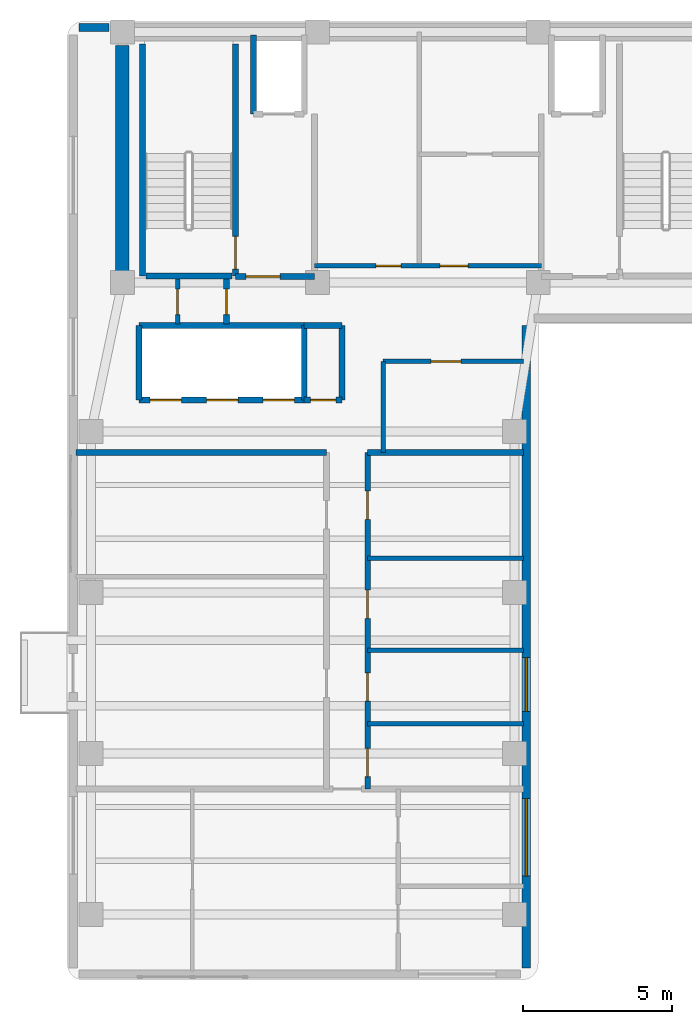
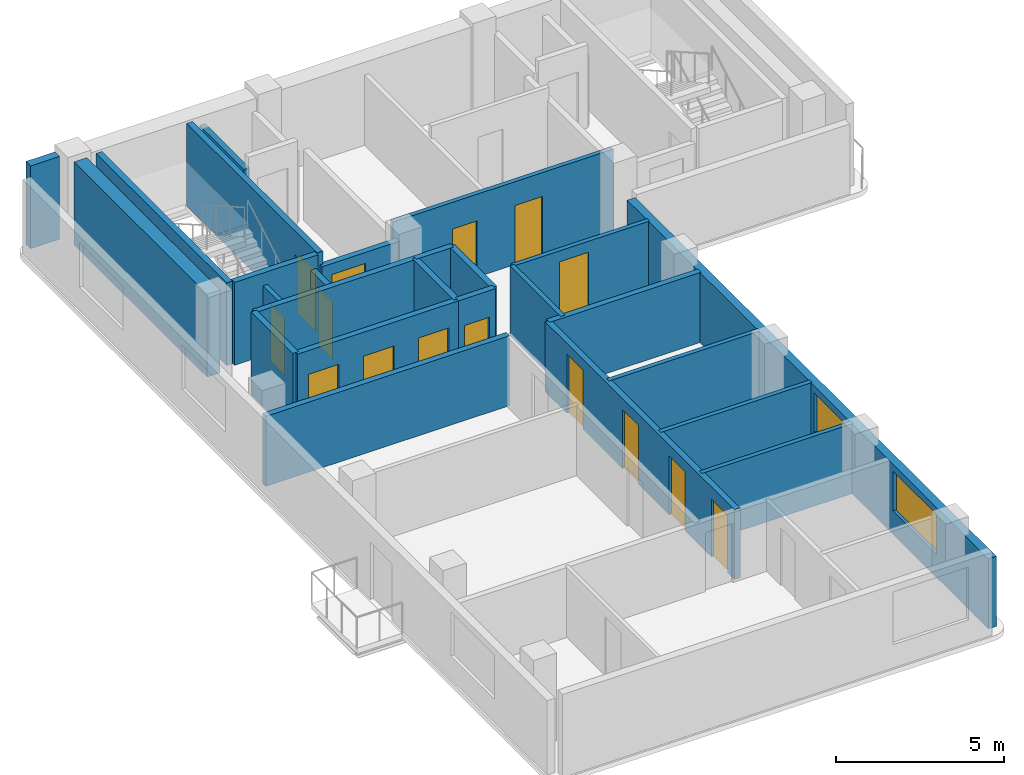
# One storey, part 7 of 9: 26 walls, 15 doors, 2 windows, 17 openings.
"""IFC4 building model written with IfcOpenShell, lengths in metres."""

from ifc_helpers import new_model, si_unit, direction, frame, frame_2d, origin, place, context, subcontext, project, spatial, rectangle, extrude, material, layer, layer_set, type_object, element, fill, save


model = new_model("IFC4")

# Units and contexts
model_context = context("Model", 3, precision=1e-05, world=origin(), true_north=direction((0.0, 1.0)))
body_context = subcontext(model_context, "Body", "Model", "MODEL_VIEW")
ifc_project = project(units=[si_unit("LENGTHUNIT", "METRE"), si_unit("AREAUNIT", "SQUARE_METRE"), si_unit("VOLUMEUNIT", "CUBIC_METRE"), si_unit("PLANEANGLEUNIT", "RADIAN"), si_unit("MASSUNIT", "GRAM", prefix="KILO")], contexts=[model_context])

# Site, building, storey
site_placement = place(None, origin())
site = spatial("IfcSite", under=ifc_project, at=site_placement, CompositionType="ELEMENT")
building_placement = place(site_placement, origin())
building = spatial("IfcBuilding", under=site, at=building_placement, Name="Kuzgunbayir Cultural Tower", CompositionType="ELEMENT")
storey_placement = place(building_placement, frame((0.0, 0.0, 240.800048828125)))
storey = spatial("IfcBuildingStorey", under=building, at=storey_placement, Name="L71", CompositionType="ELEMENT", Elevation=240.800048828125)

# Wall
ifc_material_1 = material(Name="Concrete C50/60", Category="concrete")
ifc_layer_1 = layer(ifc_material_1, 0.449951171875)
ifc_layer_set_1 = layer_set([ifc_layer_1], Name="Concrete C50/60")
wall_type_1 = type_object("IfcWallType", Name="WAL-CORE-450", PredefinedType="SHEAR", material=ifc_layer_set_1)
wall_1_placement = place(storey_placement, frame((6.449951171875, 33.800048828125, 0.0), z_axis=(0.0, 0.0, 1.0), x_axis=(0.0, 1.0, 0.0)))
element("IfcWall", 1, at=wall_1_placement, inside=storey, type_object=wall_type_1, Name="L71 T1 Core West Shear Wall", PredefinedType="SHEAR", context=body_context, shape_type="SweptSolid", body=[
    extrude(rectangle(XDim=7.949951171875, YDim=0.449951171875, at=frame_2d((3.97509765625, 0.0))), origin(), (0.0, 0.0, 1.0), 3.02001953125),
])

# Wall, openings, windows
ifc_material_2 = material(Name="Anatolian Cream Limestone", Category="masonry")
ifc_layer_2 = layer(ifc_material_2, 0.280029296875)
ifc_layer_set_2 = layer_set([ifc_layer_2], Name="Anatolian Cream Limestone")
wall_type_2 = type_object("IfcWallType", Name="WAL-EXT-STONE-280", PredefinedType="STANDARD", material=ifc_layer_set_2)
wall_2_placement = place(storey_placement, frame((20.0, 10.800048828125, 0.0), z_axis=(0.0, 0.0, 1.0), x_axis=(0.0, 1.0, 0.0)))
wall_2 = element("IfcWall", 2, at=wall_2_placement, inside=storey, type_object=wall_type_2, Name="L71 Wing A East Limestone Wall", PredefinedType="STANDARD", context=body_context, shape_type="SweptSolid", body=[
    extrude(rectangle(XDim=21.550048828125, YDim=0.280029296875, at=frame_2d((10.77490234375, 0.0))), origin(), (0.0, 0.0, 1.0), 2.550048828125),
])
opening_1_placement = place(wall_2_placement, frame((3.080078125, 0.0, 0.85009765625)))
opening_1 = element("IfcOpeningElement", 3, at=opening_1_placement, cuts=wall_2, Name="Opening WK-26", PredefinedType="OPENING", context=body_context, shape_type="SweptSolid", body=[
    extrude(rectangle(XDim=2.60009765625, YDim=1.449951171875, at=frame_2d((1.300048828125, 0.72509765625))), frame((0.0, 0.14990234375, 0.0), z_axis=(0.0, -1.0, 0.0), x_axis=(1.0, 0.0, 0.0)), (0.0, 0.0, 1.0), 0.300048828125),
])
opening_2_placement = place(wall_2_placement, frame((8.610107421875, 0.0, 0.85009765625)))
opening_2 = element("IfcOpeningElement", 4, at=opening_2_placement, cuts=wall_2, Name="Opening WH-18", PredefinedType="OPENING", context=body_context, shape_type="SweptSolid", body=[
    extrude(rectangle(XDim=1.800048828125, YDim=1.449951171875, at=frame_2d((0.89990234375, 0.72509765625))), frame((0.0, 0.14990234375, 0.0), z_axis=(0.0, -1.0, 0.0), x_axis=(1.0, 0.0, 0.0)), (0.0, 0.0, 1.0), 0.300048828125),
])
ifc_material_3 = material(Name="Solar-Control Triple Glazing", Category="glass")
window_type_1 = type_object("IfcWindowType", Name="WIN-CROWN-26", PartitioningType="SINGLE_PANEL", PredefinedType="WINDOW", material=ifc_material_3)
window_1_placement = place(opening_1_placement, origin())
window_1 = element("IfcWindow", 5, at=window_1_placement, inside=storey, type_object=window_type_1, Name="L71 WAE Facade Window 2", OverallHeight=1.449951171875, OverallWidth=2.60009765625, PartitioningType="SINGLE_PANEL", PredefinedType="WINDOW", context=body_context, shape_type="SweptSolid", body=[
    extrude(rectangle(XDim=2.60009765625, YDim=1.449951171875, at=frame_2d((1.300048828125, 0.72509765625))), frame((0.0, 0.030029296875, 0.0), z_axis=(0.0, -1.0, 0.0), x_axis=(1.0, 0.0, 0.0)), (0.0, 0.0, 1.0), 0.06005859375),
])
fill(opening_1, window_1)
window_type_2 = type_object("IfcWindowType", Name="WIN-HOTEL-18", PartitioningType="SINGLE_PANEL", PredefinedType="WINDOW", material=ifc_material_3)
window_2_placement = place(opening_2_placement, origin())
window_2 = element("IfcWindow", 6, at=window_2_placement, inside=storey, type_object=window_type_2, Name="L71 WAE Facade Window 6", OverallHeight=1.449951171875, OverallWidth=1.800048828125, PartitioningType="SINGLE_PANEL", PredefinedType="WINDOW", context=body_context, shape_type="SweptSolid", body=[
    extrude(rectangle(XDim=1.800048828125, YDim=1.449951171875, at=frame_2d((0.89990234375, 0.72509765625))), frame((0.0, 0.030029296875, 0.0), z_axis=(0.0, -1.0, 0.0), x_axis=(1.0, 0.0, 0.0)), (0.0, 0.0, 1.0), 0.06005859375),
])
fill(opening_2, window_2)

# Wall
wall_3_placement = place(storey_placement, frame((6.0, 42.35009765625, 0.0), z_axis=(0.0, 0.0, 1.0), x_axis=(-1.0, 0.0, 0.0)))
element("IfcWall", 7, at=wall_3_placement, inside=storey, type_object=wall_type_2, Name="L71 Core North-West Spandrel Link", PredefinedType="STANDARD", context=body_context, shape_type="SweptSolid", body=[
    extrude(rectangle(XDim=1.0, YDim=0.280029296875, at=frame_2d((0.5, 0.0))), origin(), (0.0, 0.0, 1.0), 3.02001953125),
])

# Wall, opening, door
ifc_material_4 = material(Name="Acoustic Double-Stud Drywall", Category="gypsum")
ifc_layer_3 = layer(ifc_material_4, 0.14990234375)
ifc_layer_set_3 = layer_set([ifc_layer_3], Name="Acoustic Double-Stud Drywall")
wall_type_3 = type_object("IfcWallType", Name="WAL-PART-ACOUSTIC-150", PredefinedType="PARTITIONING", material=ifc_layer_set_3)
wall_4_placement = place(storey_placement, frame((8.300048828125, 32.39990234375, 0.0), z_axis=(0.0, 0.0, 1.0), x_axis=(0.0, 1.0, 0.0)))
wall_4 = element("IfcWall", 8, at=wall_4_placement, inside=storey, type_object=wall_type_3, Name="L71 West Core Closet Divider", PredefinedType="PARTITIONING", context=body_context, shape_type="SweptSolid", body=[
    extrude(rectangle(XDim=1.52001953125, YDim=0.14990234375, at=frame_2d((0.760009765625, 0.0))), origin(), (0.0, 0.0, 1.0), 2.550048828125),
])
opening_3_placement = place(wall_4_placement, frame((0.320068359375, 0.0, 0.0)))
opening_3 = element("IfcOpeningElement", 9, at=opening_3_placement, cuts=wall_4, Name="Opening DR-RSR-60", PredefinedType="OPENING", context=body_context, shape_type="SweptSolid", body=[
    extrude(rectangle(XDim=0.85009765625, YDim=2.050048828125, at=frame_2d((0.425048828125, 1.02490234375))), frame((0.0, 0.0849609375, 0.0), z_axis=(0.0, -1.0, 0.0), x_axis=(1.0, 0.0, 0.0)), (0.0, 0.0, 1.0), 0.169921875),
])
ifc_material_5 = material(Name="Steel Access Leaf", Category="steel")
door_type_1 = type_object("IfcDoorType", Name="DR-RISER-60", OperationType="NOTDEFINED", PredefinedType="DOOR", material=ifc_material_5)
door_1_placement = place(opening_3_placement, origin())
door_1 = element("IfcDoor", 10, at=door_1_placement, inside=storey, type_object=door_type_1, Name="L71 Sub-Meter Closet Door", OperationType="SINGLE_SWING_LEFT", OverallHeight=2.050048828125, OverallWidth=0.85009765625, PredefinedType="DOOR", context=body_context, shape_type="SweptSolid", body=[
    extrude(rectangle(XDim=0.85009765625, YDim=2.050048828125, at=frame_2d((0.425048828125, 1.02490234375))), frame((0.0, 0.02490234375, 0.0), z_axis=(0.0, -1.0, 0.0), x_axis=(1.0, 0.0, 0.0)), (0.0, 0.0, 1.0), 0.050048828125),
])
fill(opening_3, door_1)

# Wall, openings, doors
wall_5_placement = place(storey_placement, frame((12.89990234375, 34.35009765625, 0.0), z_axis=(0.0, 0.0, 1.0), x_axis=(1.0, 0.0, 0.0)))
wall_5 = element("IfcWall", 11, at=wall_5_placement, inside=storey, type_object=wall_type_3, Name="L71 Sky Core South Wall", PredefinedType="PARTITIONING", context=body_context, shape_type="SweptSolid", body=[
    extrude(rectangle(XDim=7.60009765625, YDim=0.14990234375, at=frame_2d((3.800048828125, 0.0))), origin(), (0.0, 0.0, 1.0), 3.02001953125),
])
opening_4_placement = place(wall_5_placement, frame((2.050048828125, 0.0, 0.0)))
opening_4 = element("IfcOpeningElement", 12, at=opening_4_placement, cuts=wall_5, Name="Opening DC-85", PredefinedType="OPENING", context=body_context, shape_type="SweptSolid", body=[
    extrude(rectangle(XDim=0.85009765625, YDim=2.050048828125, at=frame_2d((0.425048828125, 1.02490234375))), frame((0.0, 0.0849609375, 0.0), z_axis=(0.0, -1.0, 0.0), x_axis=(1.0, 0.0, 0.0)), (0.0, 0.0, 1.0), 0.169921875),
])
opening_5_placement = place(wall_5_placement, frame((4.199951171875, 0.0, 0.0)))
opening_5 = element("IfcOpeningElement", 13, at=opening_5_placement, cuts=wall_5, Name="Opening DC-95", PredefinedType="OPENING", context=body_context, shape_type="SweptSolid", body=[
    extrude(rectangle(XDim=0.949951171875, YDim=2.14990234375, at=frame_2d((0.47509765625, 1.074951171875))), frame((0.0, 0.0849609375, 0.0), z_axis=(0.0, -1.0, 0.0), x_axis=(1.0, 0.0, 0.0)), (0.0, 0.0, 1.0), 0.169921875),
])
ifc_material_6 = material(Name="Fire-Rated Veneered Oak Leaf", Category="wood")
door_type_2 = type_object("IfcDoorType", Name="DR-CORE-85", OperationType="NOTDEFINED", PredefinedType="DOOR", material=ifc_material_6)
door_2_placement = place(opening_4_placement, origin())
door_2 = element("IfcDoor", 14, at=door_2_placement, inside=storey, type_object=door_type_2, Name="L71 Study Pod Door", OperationType="SINGLE_SWING_LEFT", OverallHeight=2.050048828125, OverallWidth=0.85009765625, PredefinedType="DOOR", context=body_context, shape_type="SweptSolid", body=[
    extrude(rectangle(XDim=0.85009765625, YDim=2.050048828125, at=frame_2d((0.425048828125, 1.02490234375))), frame((0.0, 0.02490234375, 0.0), z_axis=(0.0, -1.0, 0.0), x_axis=(1.0, 0.0, 0.0)), (0.0, 0.0, 1.0), 0.050048828125),
])
fill(opening_4, door_2)
door_type_3 = type_object("IfcDoorType", Name="DR-CORE-95", OperationType="NOTDEFINED", PredefinedType="DOOR", material=ifc_material_6)
door_3_placement = place(opening_5_placement, origin())
door_3 = element("IfcDoor", 15, at=door_3_placement, inside=storey, type_object=door_type_3, Name="L71 Tea Salon Door", OperationType="SINGLE_SWING_RIGHT", OverallHeight=2.14990234375, OverallWidth=0.949951171875, PredefinedType="DOOR", context=body_context, shape_type="SweptSolid", body=[
    extrude(rectangle(XDim=0.949951171875, YDim=2.14990234375, at=frame_2d((0.47509765625, 1.074951171875))), frame((0.0, 0.02490234375, 0.0), z_axis=(0.0, -1.0, 0.0), x_axis=(1.0, 0.0, 0.0)), (0.0, 0.0, 1.0), 0.050048828125),
])
fill(opening_5, door_3)

# Wall, opening, door
wall_6_placement = place(storey_placement, frame((15.199951171875, 31.14990234375, 0.0), z_axis=(0.0, 0.0, 1.0), x_axis=(1.0, 0.0, 0.0)))
wall_6 = element("IfcWall", 16, at=wall_6_placement, inside=storey, type_object=wall_type_3, Name="L71 Central Sky Salon North Wall", PredefinedType="PARTITIONING", context=body_context, shape_type="SweptSolid", body=[
    extrude(rectangle(XDim=4.699951171875, YDim=0.14990234375, at=frame_2d((2.35009765625, 0.0))), origin(), (0.0, 0.0, 1.0), 2.550048828125),
])
opening_6_placement = place(wall_6_placement, frame((1.60009765625, 0.0, 0.0)))
opening_6 = element("IfcOpeningElement", 17, at=opening_6_placement, cuts=wall_6, Name="Opening DI-100", PredefinedType="OPENING", context=body_context, shape_type="SweptSolid", body=[
    extrude(rectangle(XDim=1.0, YDim=2.14990234375, at=frame_2d((0.5, 1.074951171875))), frame((0.0, 0.0849609375, 0.0), z_axis=(0.0, -1.0, 0.0), x_axis=(1.0, 0.0, 0.0)), (0.0, 0.0, 1.0), 0.169921875),
])
ifc_material_7 = material(Name="Veneered Oak Single Leaf", Category="wood")
door_type_4 = type_object("IfcDoorType", Name="DR-INT-100", OperationType="NOTDEFINED", PredefinedType="DOOR", material=ifc_material_7)
door_4_placement = place(opening_6_placement, origin())
door_4 = element("IfcDoor", 18, at=door_4_placement, inside=storey, type_object=door_type_4, Name="L71 Central Sky Salon Door", OperationType="SINGLE_SWING_LEFT", OverallHeight=2.14990234375, OverallWidth=1.0, PredefinedType="DOOR", context=body_context, shape_type="SweptSolid", body=[
    extrude(rectangle(XDim=1.0, YDim=2.14990234375, at=frame_2d((0.5, 1.074951171875))), frame((0.0, 0.02490234375, 0.0), z_axis=(0.0, -1.0, 0.0), x_axis=(1.0, 0.0, 0.0)), (0.0, 0.0, 1.0), 0.050048828125),
])
fill(opening_6, door_4)

# Walls
wall_7_placement = place(storey_placement, frame((15.199951171875, 28.10009765625, 0.0), z_axis=(0.0, 0.0, 1.0), x_axis=(0.0, 1.0, 0.0)))
element("IfcWall", 19, at=wall_7_placement, inside=storey, type_object=wall_type_3, Name="L71 Central Sky Salon West Wall", PredefinedType="PARTITIONING", context=body_context, shape_type="SweptSolid", body=[
    extrude(rectangle(XDim=3.0498046875, YDim=0.14990234375, at=frame_2d((1.52490234375, 0.0))), origin(), (0.0, 0.0, 1.0), 2.550048828125),
])
for number, where, z_axis, x_axis, name in (
    (20, (14.679931640625, 21.4599609375, 0.0), (0.0, 0.0, 1.0), (1.0, 0.0, 0.0), "L71 East Divider 1"),
    (21, (14.679931640625, 24.550048828125, 0.0), (0.0, 0.0, 1.0), (1.0, 0.0, 0.0), "L71 East Divider 2"),
):
    element("IfcWall", number, at=place(storey_placement, frame(where, z_axis=z_axis, x_axis=x_axis)), inside=storey, type_object=wall_type_3, Name=name, PredefinedType="PARTITIONING", context=body_context, shape_type="SweptSolid", body=[
        extrude(rectangle(XDim=5.219970703125, YDim=0.14990234375, at=frame_2d((2.60986328125, 0.0))), origin(), (0.0, 0.0, 1.0), 2.550048828125),
    ])

# Wall, opening, door
ifc_material_8 = material(Name="Aerated Concrete Blockwork", Category="masonry")
ifc_layer_4 = layer(ifc_material_8, 0.199951171875)
ifc_layer_set_4 = layer_set([ifc_layer_4], Name="Aerated Concrete Blockwork")
wall_type_4 = type_object("IfcWallType", Name="WAL-PART-FIRE-200", PredefinedType="PARTITIONING", material=ifc_layer_set_4)
wall_8_placement = place(storey_placement, frame((10.239990234375, 34.0, 0.0), z_axis=(0.0, 0.0, 1.0), x_axis=(1.0, 0.0, 0.0)))
wall_8 = element("IfcWall", 22, at=wall_8_placement, inside=storey, type_object=wall_type_4, Name="L71 FFL-1 Lobby South Fire Wall", PredefinedType="PARTITIONING", context=body_context, shape_type="SweptSolid", body=[
    extrude(rectangle(XDim=2.659912109375, YDim=0.199951171875, at=frame_2d((1.330078125, 0.0))), origin(), (0.0, 0.0, 1.0), 2.550048828125),
])
opening_7_placement = place(wall_8_placement, frame((0.35009765625, 0.0, 0.0)))
opening_7 = element("IfcOpeningElement", 23, at=opening_7_placement, cuts=wall_8, Name="Opening DR-FFL-90", PredefinedType="OPENING", context=body_context, shape_type="SweptSolid", body=[
    extrude(rectangle(XDim=1.14990234375, YDim=2.14990234375, at=frame_2d((0.574951171875, 1.074951171875))), frame((0.0, 0.10986328125, 0.0), z_axis=(0.0, -1.0, 0.0), x_axis=(1.0, 0.0, 0.0)), (0.0, 0.0, 1.0), 0.219970703125),
])
ifc_material_9 = material(Name="Steel S355J2", Category="steel")
door_type_5 = type_object("IfcDoorType", Name="DR-FFL-90", OperationType="NOTDEFINED", PredefinedType="DOOR", material=ifc_material_9)
door_5_placement = place(opening_7_placement, origin())
door_5 = element("IfcDoor", 24, at=door_5_placement, inside=storey, type_object=door_type_5, Name="L71 Firefighting Lobby 1 Door", OperationType="SINGLE_SWING_RIGHT", OverallHeight=2.14990234375, OverallWidth=1.14990234375, PredefinedType="DOOR", context=body_context, shape_type="SweptSolid", body=[
    extrude(rectangle(XDim=1.14990234375, YDim=2.14990234375, at=frame_2d((0.574951171875, 1.074951171875))), frame((0.0, 0.02490234375, 0.0), z_axis=(0.0, -1.0, 0.0), x_axis=(1.0, 0.0, 0.0)), (0.0, 0.0, 1.0), 0.050048828125),
])
fill(opening_7, door_5)

wall_9_placement = place(storey_placement, frame((9.949951171875, 32.39990234375, 0.0), z_axis=(0.0, 0.0, 1.0), x_axis=(0.0, 1.0, 0.0)))
wall_9 = element("IfcWall", 25, at=wall_9_placement, inside=storey, type_object=wall_type_4, Name="L71 West Core Service Closet Wall", PredefinedType="PARTITIONING", context=body_context, shape_type="SweptSolid", body=[
    extrude(rectangle(XDim=1.52001953125, YDim=0.199951171875, at=frame_2d((0.760009765625, 0.0))), origin(), (0.0, 0.0, 1.0), 2.550048828125),
])
opening_8_placement = place(wall_9_placement, frame((0.320068359375, 0.0, 0.0)))
opening_8 = element("IfcOpeningElement", 26, at=opening_8_placement, cuts=wall_9, Name="Opening DR-RSR-60", PredefinedType="OPENING", context=body_context, shape_type="SweptSolid", body=[
    extrude(rectangle(XDim=0.85009765625, YDim=2.050048828125, at=frame_2d((0.425048828125, 1.02490234375))), frame((0.0, 0.10986328125, 0.0), z_axis=(0.0, -1.0, 0.0), x_axis=(1.0, 0.0, 0.0)), (0.0, 0.0, 1.0), 0.219970703125),
])
door_6_placement = place(opening_8_placement, origin())
door_6 = element("IfcDoor", 27, at=door_6_placement, inside=storey, type_object=door_type_1, Name="L71 Cleaner Store Door", OperationType="SINGLE_SWING_RIGHT", OverallHeight=2.050048828125, OverallWidth=0.85009765625, PredefinedType="DOOR", context=body_context, shape_type="SweptSolid", body=[
    extrude(rectangle(XDim=0.85009765625, YDim=2.050048828125, at=frame_2d((0.425048828125, 1.02490234375))), frame((0.0, 0.02490234375, 0.0), z_axis=(0.0, -1.0, 0.0), x_axis=(1.0, 0.0, 0.0)), (0.0, 0.0, 1.0), 0.050048828125),
])
fill(opening_8, door_6)

wall_10_placement = place(storey_placement, frame((12.550048828125, 29.85009765625, 0.0), z_axis=(0.0, 0.0, 1.0), x_axis=(1.0, 0.0, 0.0)))
wall_10 = element("IfcWall", 28, at=wall_10_placement, inside=storey, type_object=wall_type_4, Name="L71 Center Core Switchgear South Wall", PredefinedType="PARTITIONING", context=body_context, shape_type="SweptSolid", body=[
    extrude(rectangle(XDim=1.27001953125, YDim=0.199951171875, at=frame_2d((0.635009765625, 0.0))), origin(), (0.0, 0.0, 1.0), 3.02001953125),
])
opening_9_placement = place(wall_10_placement, frame((0.2099609375, 0.0, 0.0)))
opening_9 = element("IfcOpeningElement", 29, at=opening_9_placement, cuts=wall_10, Name="Opening DR-RSR-60", PredefinedType="OPENING", context=body_context, shape_type="SweptSolid", body=[
    extrude(rectangle(XDim=0.85009765625, YDim=2.050048828125, at=frame_2d((0.425048828125, 1.02490234375))), frame((0.0, 0.10986328125, 0.0), z_axis=(0.0, -1.0, 0.0), x_axis=(1.0, 0.0, 0.0)), (0.0, 0.0, 1.0), 0.219970703125),
])
door_7_placement = place(opening_9_placement, origin())
door_7 = element("IfcDoor", 30, at=door_7_placement, inside=storey, type_object=door_type_1, Name="L71 Telecom Closet Door", OperationType="SINGLE_SWING_RIGHT", OverallHeight=2.050048828125, OverallWidth=0.85009765625, PredefinedType="DOOR", context=body_context, shape_type="SweptSolid", body=[
    extrude(rectangle(XDim=0.85009765625, YDim=2.050048828125, at=frame_2d((0.425048828125, 1.02490234375))), frame((0.0, 0.02490234375, 0.0), z_axis=(0.0, -1.0, 0.0), x_axis=(1.0, 0.0, 0.0)), (0.0, 0.0, 1.0), 0.050048828125),
])
fill(opening_9, door_7)

# Walls
wall_11_placement = place(storey_placement, frame((13.820068359375, 29.85009765625, 0.0), z_axis=(0.0, 0.0, 1.0), x_axis=(0.0, 1.0, 0.0)))
element("IfcWall", 31, at=wall_11_placement, inside=storey, type_object=wall_type_4, Name="L71 Center Core Switchgear East Wall", PredefinedType="PARTITIONING", context=body_context, shape_type="SweptSolid", body=[
    extrude(rectangle(XDim=2.5, YDim=0.199951171875, at=frame_2d((1.25, 0.0))), origin(), (0.0, 0.0, 1.0), 3.02001953125),
])
wall_12_placement = place(storey_placement, frame((12.550048828125, 32.35009765625, 0.0), z_axis=(0.0, 0.0, 1.0), x_axis=(1.0, 0.0, 0.0)))
element("IfcWall", 32, at=wall_12_placement, inside=storey, type_object=wall_type_4, Name="L71 Center Core Switchgear North Wall", PredefinedType="PARTITIONING", context=body_context, shape_type="SweptSolid", body=[
    extrude(rectangle(XDim=1.27001953125, YDim=0.199951171875, at=frame_2d((0.635009765625, 0.0))), origin(), (0.0, 0.0, 1.0), 3.02001953125),
])

# Wall, openings, doors
wall_13_placement = place(storey_placement, frame((14.679931640625, 16.800048828125, 0.0), z_axis=(0.0, 0.0, 1.0), x_axis=(0.0, 1.0, 0.0)))
wall_13 = element("IfcWall", 33, at=wall_13_placement, inside=storey, type_object=wall_type_4, Name="L71 Wing A East Corridor Wall", PredefinedType="PARTITIONING", context=body_context, shape_type="SweptSolid", body=[
    extrude(rectangle(XDim=11.300048828125, YDim=0.199951171875, at=frame_2d((5.64990234375, 0.0))), origin(), (0.0, 0.0, 1.0), 2.550048828125),
])
opening_10_placement = place(wall_13_placement, frame((0.419921875, 0.0, 0.0)))
opening_10 = element("IfcOpeningElement", 34, at=opening_10_placement, cuts=wall_13, Name="Opening DW-95", PredefinedType="OPENING", context=body_context, shape_type="SweptSolid", body=[
    extrude(rectangle(XDim=0.949951171875, YDim=2.10009765625, at=frame_2d((0.47509765625, 1.050048828125))), frame((0.0, 0.10986328125, 0.0), z_axis=(0.0, -1.0, 0.0), x_axis=(1.0, 0.0, 0.0)), (0.0, 0.0, 1.0), 0.219970703125),
])
opening_11_placement = place(wall_13_placement, frame((2.949951171875, 0.0, 0.0)))
opening_11 = element("IfcOpeningElement", 35, at=opening_11_placement, cuts=wall_13, Name="Opening DI-90", PredefinedType="OPENING", context=body_context, shape_type="SweptSolid", body=[
    extrude(rectangle(XDim=0.949951171875, YDim=2.14990234375, at=frame_2d((0.47509765625, 1.074951171875))), frame((0.0, 0.10986328125, 0.0), z_axis=(0.0, -1.0, 0.0), x_axis=(1.0, 0.0, 0.0)), (0.0, 0.0, 1.0), 0.219970703125),
])
opening_12_placement = place(wall_13_placement, frame((5.72998046875, 0.0, 0.0)))
opening_12 = element("IfcOpeningElement", 36, at=opening_12_placement, cuts=wall_13, Name="Opening DI-90", PredefinedType="OPENING", context=body_context, shape_type="SweptSolid", body=[
    extrude(rectangle(XDim=0.949951171875, YDim=2.14990234375, at=frame_2d((0.47509765625, 1.074951171875))), frame((0.0, 0.10986328125, 0.0), z_axis=(0.0, -1.0, 0.0), x_axis=(1.0, 0.0, 0.0)), (0.0, 0.0, 1.0), 0.219970703125),
])
opening_13_placement = place(wall_13_placement, frame((9.050048828125, 0.0, 0.0)))
opening_13 = element("IfcOpeningElement", 37, at=opening_13_placement, cuts=wall_13, Name="Opening DI-90", PredefinedType="OPENING", context=body_context, shape_type="SweptSolid", body=[
    extrude(rectangle(XDim=0.949951171875, YDim=2.14990234375, at=frame_2d((0.47509765625, 1.074951171875))), frame((0.0, 0.10986328125, 0.0), z_axis=(0.0, -1.0, 0.0), x_axis=(1.0, 0.0, 0.0)), (0.0, 0.0, 1.0), 0.219970703125),
])
door_type_6 = type_object("IfcDoorType", Name="DR-INT-90", OperationType="NOTDEFINED", PredefinedType="DOOR", material=ifc_material_7)
door_8_placement = place(opening_11_placement, origin())
door_8 = element("IfcDoor", 38, at=door_8_placement, inside=storey, type_object=door_type_6, Name="L71 East Fellows Reading Lounge E1 Door", OperationType="SINGLE_SWING_LEFT", OverallHeight=2.14990234375, OverallWidth=0.949951171875, PredefinedType="DOOR", context=body_context, shape_type="SweptSolid", body=[
    extrude(rectangle(XDim=0.949951171875, YDim=2.14990234375, at=frame_2d((0.47509765625, 1.074951171875))), frame((0.0, 0.02490234375, 0.0), z_axis=(0.0, -1.0, 0.0), x_axis=(1.0, 0.0, 0.0)), (0.0, 0.0, 1.0), 0.050048828125),
])
fill(opening_11, door_8)
door_9_placement = place(opening_12_placement, origin())
door_9 = element("IfcDoor", 39, at=door_9_placement, inside=storey, type_object=door_type_6, Name="L71 East Culinary Tasting Pantry E2 Door", OperationType="SINGLE_SWING_RIGHT", OverallHeight=2.14990234375, OverallWidth=0.949951171875, PredefinedType="DOOR", context=body_context, shape_type="SweptSolid", body=[
    extrude(rectangle(XDim=0.949951171875, YDim=2.14990234375, at=frame_2d((0.47509765625, 1.074951171875))), frame((0.0, 0.02490234375, 0.0), z_axis=(0.0, -1.0, 0.0), x_axis=(1.0, 0.0, 0.0)), (0.0, 0.0, 1.0), 0.050048828125),
])
fill(opening_12, door_9)
door_10_placement = place(opening_13_placement, origin())
door_10 = element("IfcDoor", 40, at=door_10_placement, inside=storey, type_object=door_type_6, Name="L71 East Fellows Reading Lounge E3 Door", OperationType="SINGLE_SWING_LEFT", OverallHeight=2.14990234375, OverallWidth=0.949951171875, PredefinedType="DOOR", context=body_context, shape_type="SweptSolid", body=[
    extrude(rectangle(XDim=0.949951171875, YDim=2.14990234375, at=frame_2d((0.47509765625, 1.074951171875))), frame((0.0, 0.02490234375, 0.0), z_axis=(0.0, -1.0, 0.0), x_axis=(1.0, 0.0, 0.0)), (0.0, 0.0, 1.0), 0.050048828125),
])
fill(opening_13, door_10)
ifc_material_10 = material(Name="Laminate Moisture-Resistant Leaf", Category="wood")
door_type_7 = type_object("IfcDoorType", Name="DR-WET-95", OperationType="NOTDEFINED", PredefinedType="DOOR", material=ifc_material_10)
door_11_placement = place(opening_10_placement, origin())
door_11 = element("IfcDoor", 41, at=door_11_placement, inside=storey, type_object=door_type_7, Name="L71 Visitor Accessible WC Door", OperationType="SINGLE_SWING_RIGHT", OverallHeight=2.10009765625, OverallWidth=0.949951171875, PredefinedType="DOOR", context=body_context, shape_type="SweptSolid", body=[
    extrude(rectangle(XDim=0.949951171875, YDim=2.10009765625, at=frame_2d((0.47509765625, 1.050048828125))), frame((0.0, 0.02490234375, 0.0), z_axis=(0.0, -1.0, 0.0), x_axis=(1.0, 0.0, 0.0)), (0.0, 0.0, 1.0), 0.050048828125),
])
fill(opening_10, door_11)

# Walls
wall_14_placement = place(storey_placement, frame((4.89990234375, 28.10009765625, 0.0), z_axis=(0.0, 0.0, 1.0), x_axis=(1.0, 0.0, 0.0)))
element("IfcWall", 42, at=wall_14_placement, inside=storey, type_object=wall_type_4, Name="L71 North West Partition", PredefinedType="PARTITIONING", context=body_context, shape_type="SweptSolid", body=[
    extrude(rectangle(XDim=8.400146484375, YDim=0.199951171875, at=frame_2d((4.2001953125, 0.0))), origin(), (0.0, 0.0, 1.0), 2.550048828125),
])
wall_15_placement = place(storey_placement, frame((14.679931640625, 28.10009765625, 0.0), z_axis=(0.0, 0.0, 1.0), x_axis=(1.0, 0.0, 0.0)))
element("IfcWall", 43, at=wall_15_placement, inside=storey, type_object=wall_type_4, Name="L71 North East Partition", PredefinedType="PARTITIONING", context=body_context, shape_type="SweptSolid", body=[
    extrude(rectangle(XDim=5.219970703125, YDim=0.199951171875, at=frame_2d((2.60986328125, 0.0))), origin(), (0.0, 0.0, 1.0), 2.550048828125),
])
ifc_material_11 = material(Name="Moisture-Resistant Tile Partition", Category="gypsum")
ifc_layer_5 = layer(ifc_material_11, 0.14990234375)
ifc_layer_set_5 = layer_set([ifc_layer_5], Name="Moisture-Resistant Tile Partition")
wall_type_5 = type_object("IfcWallType", Name="WAL-PART-WET-150", PredefinedType="PARTITIONING", material=ifc_layer_set_5)
wall_16_placement = place(storey_placement, frame((14.679931640625, 19.0, 0.0), z_axis=(0.0, 0.0, 1.0), x_axis=(1.0, 0.0, 0.0)))
element("IfcWall", 44, at=wall_16_placement, inside=storey, type_object=wall_type_5, Name="L71 East Accessible WC Wall", PredefinedType="PARTITIONING", context=body_context, shape_type="SweptSolid", body=[
    extrude(rectangle(XDim=5.219970703125, YDim=0.14990234375, at=frame_2d((2.60986328125, 0.0))), origin(), (0.0, 0.0, 1.0), 2.550048828125),
])

# Wall, openings, doors
ifc_material_12 = material(Name="Concrete C40/50", Category="concrete")
ifc_layer_6 = layer(ifc_material_12, 0.199951171875)
ifc_layer_set_6 = layer_set([ifc_layer_6], Name="Concrete C40/50")
wall_type_6 = type_object("IfcWallType", Name="WAL-SHAFT-200", PredefinedType="MOVABLE", material=ifc_layer_set_6)
wall_17_placement = place(storey_placement, frame((7.0, 29.85009765625, 0.0), z_axis=(0.0, 0.0, 1.0), x_axis=(1.0, 0.0, 0.0)))
wall_17 = element("IfcWall", 45, at=wall_17_placement, inside=storey, type_object=wall_type_6, Name="L71 High-Rise Lift Shaft South Wall", PredefinedType="MOVABLE", context=body_context, shape_type="SweptSolid", body=[
    extrude(rectangle(XDim=5.550048828125, YDim=0.199951171875, at=frame_2d((2.77490234375, 0.0))), origin(), (0.0, 0.0, 1.0), 3.02001953125),
])
opening_14_placement = place(wall_17_placement, frame((0.3798828125, 0.0, 0.0)))
opening_14 = element("IfcOpeningElement", 46, at=opening_14_placement, cuts=wall_17, Name="Opening LD", PredefinedType="OPENING", context=body_context, shape_type="SweptSolid", body=[
    extrude(rectangle(XDim=1.050048828125, YDim=2.14990234375, at=frame_2d((0.52490234375, 1.074951171875))), frame((0.0, 0.10986328125, 0.0), z_axis=(0.0, -1.0, 0.0), x_axis=(1.0, 0.0, 0.0)), (0.0, 0.0, 1.0), 0.219970703125),
])
opening_15_placement = place(wall_17_placement, frame((2.280029296875, 0.0, 0.0)))
opening_15 = element("IfcOpeningElement", 47, at=opening_15_placement, cuts=wall_17, Name="Opening LD", PredefinedType="OPENING", context=body_context, shape_type="SweptSolid", body=[
    extrude(rectangle(XDim=1.050048828125, YDim=2.14990234375, at=frame_2d((0.52490234375, 1.074951171875))), frame((0.0, 0.10986328125, 0.0), z_axis=(0.0, -1.0, 0.0), x_axis=(1.0, 0.0, 0.0)), (0.0, 0.0, 1.0), 0.219970703125),
])
opening_16_placement = place(wall_17_placement, frame((4.169921875, 0.0, 0.0)))
opening_16 = element("IfcOpeningElement", 48, at=opening_16_placement, cuts=wall_17, Name="Opening LD", PredefinedType="OPENING", context=body_context, shape_type="SweptSolid", body=[
    extrude(rectangle(XDim=1.050048828125, YDim=2.14990234375, at=frame_2d((0.52490234375, 1.074951171875))), frame((0.0, 0.10986328125, 0.0), z_axis=(0.0, -1.0, 0.0), x_axis=(1.0, 0.0, 0.0)), (0.0, 0.0, 1.0), 0.219970703125),
])
ifc_material_13 = material(Name="Brushed Stainless Steel", Category="steel")
door_type_8 = type_object("IfcDoorType", Name="DR-LIFT-LANDING", OperationType="SLIDING_TO_LEFT", PredefinedType="DOOR", material=ifc_material_13)
door_12_placement = place(opening_14_placement, origin())
door_12 = element("IfcDoor", 49, at=door_12_placement, inside=storey, type_object=door_type_8, Name="L71 Lift PH-1 Landing Door", OperationType="SLIDING_TO_LEFT", OverallHeight=2.14990234375, OverallWidth=1.050048828125, PredefinedType="DOOR", context=body_context, shape_type="SweptSolid", body=[
    extrude(rectangle(XDim=1.050048828125, YDim=2.14990234375, at=frame_2d((0.52490234375, 1.074951171875))), frame((0.0, 0.02490234375, 0.0), z_axis=(0.0, -1.0, 0.0), x_axis=(1.0, 0.0, 0.0)), (0.0, 0.0, 1.0), 0.050048828125),
])
fill(opening_14, door_12)
door_13_placement = place(opening_15_placement, origin())
door_13 = element("IfcDoor", 50, at=door_13_placement, inside=storey, type_object=door_type_8, Name="L71 Lift PH-2 Landing Door", OperationType="SLIDING_TO_LEFT", OverallHeight=2.14990234375, OverallWidth=1.050048828125, PredefinedType="DOOR", context=body_context, shape_type="SweptSolid", body=[
    extrude(rectangle(XDim=1.050048828125, YDim=2.14990234375, at=frame_2d((0.52490234375, 1.074951171875))), frame((0.0, 0.02490234375, 0.0), z_axis=(0.0, -1.0, 0.0), x_axis=(1.0, 0.0, 0.0)), (0.0, 0.0, 1.0), 0.050048828125),
])
fill(opening_15, door_13)
door_14_placement = place(opening_16_placement, origin())
door_14 = element("IfcDoor", 51, at=door_14_placement, inside=storey, type_object=door_type_8, Name="L71 Lift PH-3 Landing Door", OperationType="SLIDING_TO_LEFT", OverallHeight=2.14990234375, OverallWidth=1.050048828125, PredefinedType="DOOR", context=body_context, shape_type="SweptSolid", body=[
    extrude(rectangle(XDim=1.050048828125, YDim=2.14990234375, at=frame_2d((0.52490234375, 1.074951171875))), frame((0.0, 0.02490234375, 0.0), z_axis=(0.0, -1.0, 0.0), x_axis=(1.0, 0.0, 0.0)), (0.0, 0.0, 1.0), 0.050048828125),
])
fill(opening_16, door_14)

# Walls
wall_18_placement = place(storey_placement, frame((7.0, 32.35009765625, 0.0), z_axis=(0.0, 0.0, 1.0), x_axis=(1.0, 0.0, 0.0)))
element("IfcWall", 52, at=wall_18_placement, inside=storey, type_object=wall_type_6, Name="L71 High-Rise Lift Shaft North Wall", PredefinedType="MOVABLE", context=body_context, shape_type="SweptSolid", body=[
    extrude(rectangle(XDim=5.550048828125, YDim=0.199951171875, at=frame_2d((2.77490234375, 0.0))), origin(), (0.0, 0.0, 1.0), 3.02001953125),
])
for number, where, z_axis, x_axis, name in (
    (53, (7.0, 29.85009765625, 0.0), (0.0, 0.0, 1.0), (0.0, 1.0, 0.0), "L71 High-Rise Lift Shaft West Wall"),
    (54, (12.550048828125, 29.85009765625, 0.0), (0.0, 0.0, 1.0), (0.0, 1.0, 0.0), "L71 High-Rise Lift Shaft East Wall"),
):
    element("IfcWall", number, at=place(storey_placement, frame(where, z_axis=z_axis, x_axis=x_axis)), inside=storey, type_object=wall_type_6, Name=name, PredefinedType="MOVABLE", context=body_context, shape_type="SweptSolid", body=[
        extrude(rectangle(XDim=2.5, YDim=0.199951171875, at=frame_2d((1.25, 0.0))), origin(), (0.0, 0.0, 1.0), 3.02001953125),
    ])
wall_19_placement = place(storey_placement, frame((10.85009765625, 39.449951171875, 0.0), z_axis=(0.0, 0.0, 1.0), x_axis=(0.0, 1.0, 0.0)))
element("IfcWall", 55, at=wall_19_placement, inside=storey, type_object=wall_type_6, Name="L71 FFL-1 Shaft West Wall", PredefinedType="MOVABLE", context=body_context, shape_type="SweptSolid", body=[
    extrude(rectangle(XDim=2.650146484375, YDim=0.199951171875, at=frame_2d((1.3251953125, 0.0))), origin(), (0.0, 0.0, 1.0), 2.550048828125),
])
ifc_layer_7 = layer(ifc_material_12, 0.199951171875)
ifc_layer_set_7 = layer_set([ifc_layer_7], Name="Concrete C40/50")
wall_type_7 = type_object("IfcWallType", Name="WAL-STAIR-RC-200", PredefinedType="SHEAR", material=ifc_layer_set_7)
wall_20_placement = place(storey_placement, frame((7.1201171875, 34.02001953125, 0.0), z_axis=(0.0, 0.0, 1.0), x_axis=(0.0, 1.0, 0.0)))
element("IfcWall", 56, at=wall_20_placement, inside=storey, type_object=wall_type_7, Name="L71 Stair ST-1 West Structural Wall", PredefinedType="SHEAR", context=body_context, shape_type="SweptSolid", body=[
    extrude(rectangle(XDim=7.780029296875, YDim=0.199951171875, at=frame_2d((3.89013671875, 0.0))), origin(), (0.0, 0.0, 1.0), 3.02001953125),
])

# Wall, opening, door
wall_21_placement = place(storey_placement, frame((10.239990234375, 34.02001953125, 0.0), z_axis=(0.0, 0.0, 1.0), x_axis=(0.0, 1.0, 0.0)))
wall_21 = element("IfcWall", 57, at=wall_21_placement, inside=storey, type_object=wall_type_7, Name="L71 Stair ST-1 East Structural Wall", PredefinedType="SHEAR", context=body_context, shape_type="SweptSolid", body=[
    extrude(rectangle(XDim=7.780029296875, YDim=0.199951171875, at=frame_2d((3.89013671875, 0.0))), origin(), (0.0, 0.0, 1.0), 3.02001953125),
])
opening_17_placement = place(wall_21_placement, frame((0.219970703125, 0.0, 0.0)))
opening_17 = element("IfcOpeningElement", 58, at=opening_17_placement, cuts=wall_21, Name="Opening DR-STAIR-90", PredefinedType="OPENING", context=body_context, shape_type="SweptSolid", body=[
    extrude(rectangle(XDim=1.10009765625, YDim=2.14990234375, at=frame_2d((0.550048828125, 1.074951171875))), frame((0.0, 0.10986328125, 0.0), z_axis=(0.0, -1.0, 0.0), x_axis=(1.0, 0.0, 0.0)), (0.0, 0.0, 1.0), 0.219970703125),
])
door_type_9 = type_object("IfcDoorType", Name="DR-STAIR-90", OperationType="NOTDEFINED", PredefinedType="DOOR", material=ifc_material_9)
door_15_placement = place(opening_17_placement, origin())
door_15 = element("IfcDoor", 59, at=door_15_placement, inside=storey, type_object=door_type_9, Name="L71 Stair ST-1 Fire Door", OperationType="SINGLE_SWING_LEFT", OverallHeight=2.14990234375, OverallWidth=1.10009765625, PredefinedType="DOOR", context=body_context, shape_type="SweptSolid", body=[
    extrude(rectangle(XDim=1.10009765625, YDim=2.14990234375, at=frame_2d((0.550048828125, 1.074951171875))), frame((0.0, 0.02490234375, 0.0), z_axis=(0.0, -1.0, 0.0), x_axis=(1.0, 0.0, 0.0)), (0.0, 0.0, 1.0), 0.050048828125),
])
fill(opening_17, door_15)

# Wall
wall_22_placement = place(storey_placement, frame((7.239990234375, 34.02001953125, 0.0), z_axis=(0.0, 0.0, 1.0), x_axis=(1.0, 0.0, 0.0)))
element("IfcWall", 60, at=wall_22_placement, inside=storey, type_object=wall_type_7, Name="L71 Stair ST-1 South Structural Wall", PredefinedType="SHEAR", context=body_context, shape_type="SweptSolid", body=[
    extrude(rectangle(XDim=2.880126953125, YDim=0.199951171875, at=frame_2d((1.43994140625, 0.0))), origin(), (0.0, 0.0, 1.0), 3.02001953125),
])

save(model, "model.ifc")
